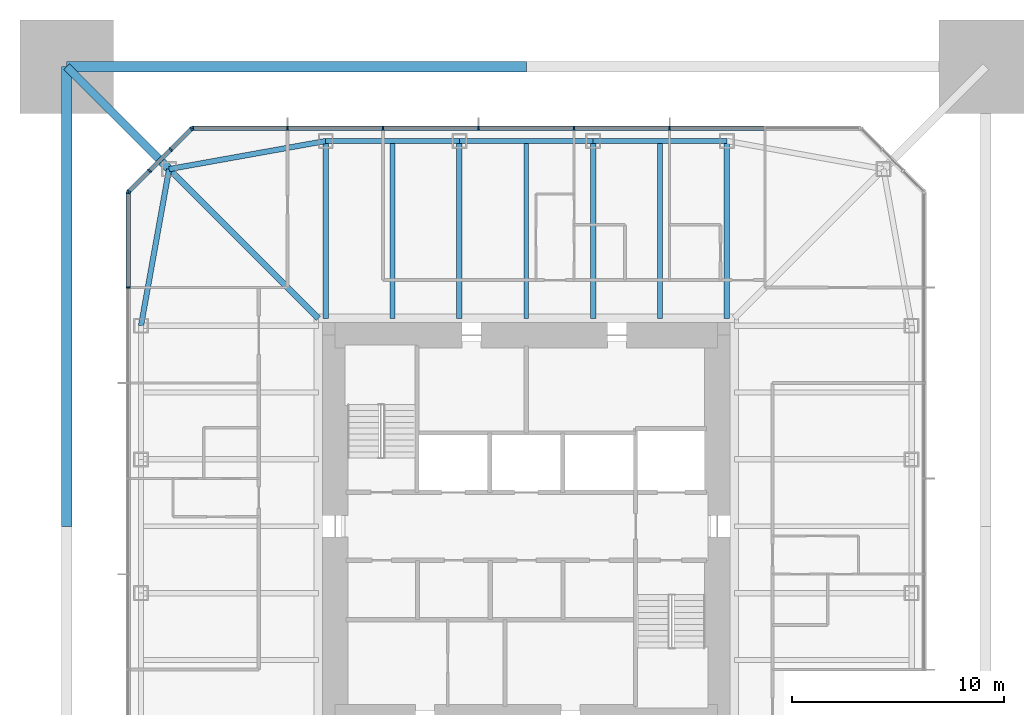
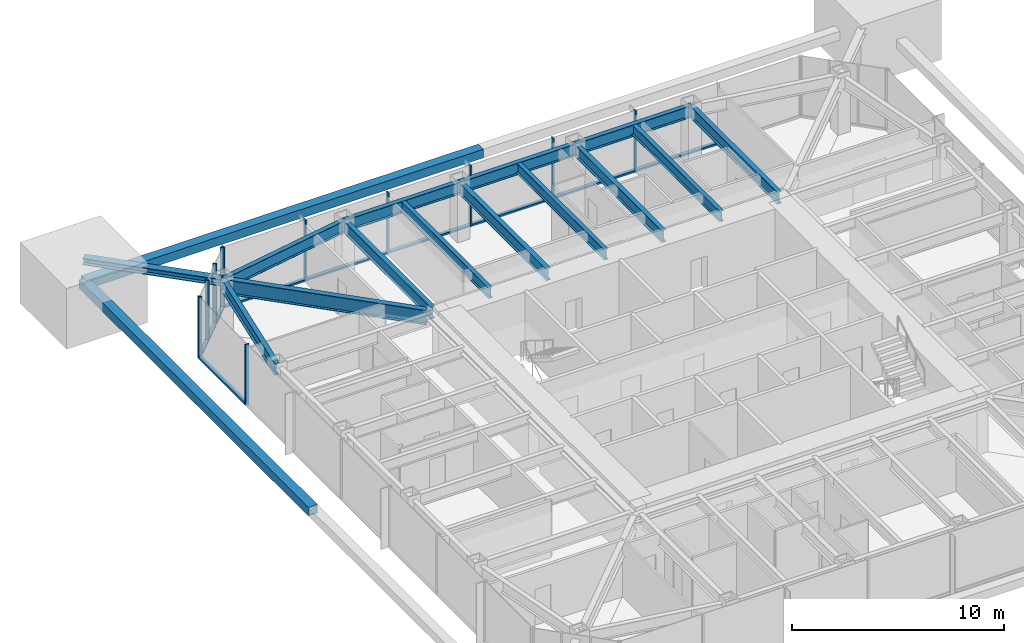
# One storey, part 5 of 13: 25 members, 13 beams, 3 elements without a shape of their own.
"""IFC4 building model written with IfcOpenShell, lengths in metres."""

from ifc_helpers import new_model, si_unit, direction, frame, origin, origin_2d, place, context, subcontext, project, spatial, rectangle, hollow_rectangle, i_section, extrude, material, material_profile, profile_set, type_object, element, aggregate, save


model = new_model("IFC4")

# Units and contexts
model_context = context("Model", 3, precision=1e-05, world=origin(), true_north=direction((0.0, 1.0)))
body_context = subcontext(model_context, "Body", "Model", "MODEL_VIEW")
ifc_project = project(units=[si_unit("LENGTHUNIT", "METRE"), si_unit("AREAUNIT", "SQUARE_METRE"), si_unit("VOLUMEUNIT", "CUBIC_METRE"), si_unit("PLANEANGLEUNIT", "RADIAN"), si_unit("MASSUNIT", "GRAM", prefix="KILO")], contexts=[model_context])

# Site, building, storey
site_placement = place(None, origin())
site = spatial("IfcSite", under=ifc_project, at=site_placement, CompositionType="ELEMENT")
building_placement = place(site_placement, origin())
building = spatial("IfcBuilding", under=site, at=building_placement, Name="Iwan Alto Co-Living Towers", CompositionType="ELEMENT")
storey_placement = place(building_placement, frame((0.0, 0.0, 191.5)))
storey = spatial("IfcBuildingStorey", under=building, at=storey_placement, Name="L52", CompositionType="ELEMENT", Elevation=191.5)

# Curtain wall, members
ifc_material_1 = material(Name="Bronze aluminium unitised frame", Category="aluminium")
curtain_wall_type_1 = type_object("IfcCurtainWallType", Name="CURTAIN WALL CW-A", PredefinedType="NOTDEFINED", material=ifc_material_1)
curtain_wall_1_placement = place(storey_placement, origin())
curtain_wall_1 = element("IfcCurtainWall", 1, at=curtain_wall_1_placement, inside=storey, type_object=curtain_wall_type_1, Name="T1 curtain wall N L52", PredefinedType="NOTDEFINED")
ifc_material_2 = material(Name="Aluminium 6063-T6 bronze anodised", Category="aluminium")
ifc_material_profile_1 = material_profile(ifc_material_2, rectangle(XDim=0.199951171875, YDim=0.080078125, at=origin_2d()), Name="AL 80X200")
ifc_profile_set_1 = profile_set([ifc_material_profile_1], Name="Aluminium 6063-T6 bronze anodised")
member_type_1 = type_object("IfcMemberType", Name="CW-A MULLION 80X200", PredefinedType="MULLION", material=ifc_profile_set_1)
member_1_placement = place(storey_placement, frame((6.75, 18.75, 0.0), z_axis=(0.0, 0.0, 1.0), x_axis=(0.0, -1.0, 0.0)))
member_1 = element("IfcMember", 2, at=member_1_placement, type_object=member_type_1, Name="CW-A mullion 3", PredefinedType="MULLION", context=body_context, shape_type="SweptSolid", body=[
    extrude(rectangle(XDim=0.199951171875, YDim=0.080078125, at=origin_2d()), origin(), (0.0, 0.0, 1.0), 3.5),
])
member_2_placement = place(storey_placement, frame((2.25, 18.75, 0.0), z_axis=(0.0, 0.0, 1.0), x_axis=(0.0, -1.0, 0.0)))
member_2 = element("IfcMember", 3, at=member_2_placement, type_object=member_type_1, Name="CW-A mullion 4", PredefinedType="MULLION", context=body_context, shape_type="SweptSolid", body=[
    extrude(rectangle(XDim=0.199951171875, YDim=0.080078125, at=origin_2d()), origin(), (0.0, 0.0, 1.0), 3.5),
])
member_3_placement = place(storey_placement, frame((-2.25, 18.75, 0.0), z_axis=(0.0, 0.0, 1.0), x_axis=(0.0, -1.0, 0.0)))
member_3 = element("IfcMember", 4, at=member_3_placement, type_object=member_type_1, Name="CW-A mullion 5", PredefinedType="MULLION", context=body_context, shape_type="SweptSolid", body=[
    extrude(rectangle(XDim=0.199951171875, YDim=0.080078125, at=origin_2d()), origin(), (0.0, 0.0, 1.0), 3.5),
])
member_4_placement = place(storey_placement, frame((-6.75, 18.75, 0.0), z_axis=(0.0, 0.0, 1.0), x_axis=(0.0, -1.0, 0.0)))
member_4 = element("IfcMember", 5, at=member_4_placement, type_object=member_type_1, Name="CW-A mullion 6", PredefinedType="MULLION", context=body_context, shape_type="SweptSolid", body=[
    extrude(rectangle(XDim=0.199951171875, YDim=0.080078125, at=origin_2d()), origin(), (0.0, 0.0, 1.0), 3.5),
])
member_5_placement = place(storey_placement, frame((-11.25, 18.75, 0.0), z_axis=(0.0, 0.0, 1.0), x_axis=(0.0, -1.0, 0.0)))
member_5 = element("IfcMember", 6, at=member_5_placement, type_object=member_type_1, Name="CW-A mullion 7", PredefinedType="MULLION", context=body_context, shape_type="SweptSolid", body=[
    extrude(rectangle(XDim=0.199951171875, YDim=0.080078125, at=origin_2d()), origin(), (0.0, 0.0, 1.0), 3.5),
])
member_6_placement = place(storey_placement, frame((-15.7099609375, 18.75, 0.0), z_axis=(0.0, 0.0, 1.0), x_axis=(0.0, -1.0, 0.0)))
member_6 = element("IfcMember", 7, at=member_6_placement, type_object=member_type_1, Name="CW-A mullion 8", PredefinedType="MULLION", context=body_context, shape_type="SweptSolid", body=[
    extrude(rectangle(XDim=0.199951171875, YDim=0.080078125, at=origin_2d()), origin(), (0.0, 0.0, 1.0), 3.5),
])

curtain_wall_2_placement = place(storey_placement, origin())
curtain_wall_2 = element("IfcCurtainWall", 8, at=curtain_wall_2_placement, inside=storey, type_object=curtain_wall_type_1, Name="T1 curtain wall W L52", PredefinedType="NOTDEFINED")
member_7_placement = place(storey_placement, frame((-18.75, 15.7099609375, 0.0), z_axis=(0.0, 0.0, 1.0), x_axis=(1.0, 0.0, 0.0)))
member_7 = element("IfcMember", 9, at=member_7_placement, type_object=member_type_1, Name="CW-A mullion 1", PredefinedType="MULLION", context=body_context, shape_type="SweptSolid", body=[
    extrude(rectangle(XDim=0.199951171875, YDim=0.080078125, at=origin_2d()), origin(), (0.0, 0.0, 1.0), 3.5),
])
member_8_placement = place(storey_placement, frame((-18.75, 11.25, 0.0), z_axis=(0.0, 0.0, 1.0), x_axis=(1.0, 0.0, 0.0)))
member_8 = element("IfcMember", 10, at=member_8_placement, type_object=member_type_1, Name="CW-A mullion 2", PredefinedType="MULLION", context=body_context, shape_type="SweptSolid", body=[
    extrude(rectangle(XDim=0.199951171875, YDim=0.080078125, at=origin_2d()), origin(), (0.0, 0.0, 1.0), 3.5),
])

# Member
ifc_material_3 = material(Name="Aluminium 6063-T6 bronze anodised", Category="aluminium")
ifc_material_profile_2 = material_profile(ifc_material_3, rectangle(XDim=0.199951171875, YDim=0.10009765625, at=origin_2d()), Name="AL 200X100")
ifc_profile_set_2 = profile_set([ifc_material_profile_2], Name="Aluminium 6063-T6 bronze anodised")
member_type_2 = type_object("IfcMemberType", Name="CW-A TRANSOM 200X100", PredefinedType="USERDEFINED", material=ifc_profile_set_2)
member_9_placement = place(storey_placement, frame((11.2099609375, 18.75, 0.050048828125), z_axis=(-1.0, 0.0, 0.0), x_axis=(0.0, -1.0, 0.0)))
member_9 = element("IfcMember", 11, at=member_9_placement, type_object=member_type_2, Name="CW-A transom 2.1", ObjectType="TRANSOM", PredefinedType="USERDEFINED", context=body_context, shape_type="SweptSolid", body=[
    extrude(rectangle(XDim=0.199951171875, YDim=0.10009765625, at=origin_2d()), origin(), (0.0, 0.0, 1.0), 4.419921875),
])

member_10_placement = place(storey_placement, frame((6.7099609375, 18.75, 0.050048828125), z_axis=(-1.0, 0.0, 0.0), x_axis=(0.0, -1.0, 0.0)))
member_10 = element("IfcMember", 12, at=member_10_placement, type_object=member_type_2, Name="CW-A transom 3.1", ObjectType="TRANSOM", PredefinedType="USERDEFINED", context=body_context, shape_type="SweptSolid", body=[
    extrude(rectangle(XDim=0.199951171875, YDim=0.10009765625, at=origin_2d()), origin(), (0.0, 0.0, 1.0), 4.419921875),
])

member_11_placement = place(storey_placement, frame((2.2099609375, 18.75, 0.050048828125), z_axis=(-1.0, 0.0, 0.0), x_axis=(0.0, -1.0, 0.0)))
member_11 = element("IfcMember", 13, at=member_11_placement, type_object=member_type_2, Name="CW-A transom 4.1", ObjectType="TRANSOM", PredefinedType="USERDEFINED", context=body_context, shape_type="SweptSolid", body=[
    extrude(rectangle(XDim=0.199951171875, YDim=0.10009765625, at=origin_2d()), origin(), (0.0, 0.0, 1.0), 4.419921875),
])

member_12_placement = place(storey_placement, frame((-2.2900390625, 18.75, 0.050048828125), z_axis=(-1.0, 0.0, 0.0), x_axis=(0.0, -1.0, 0.0)))
member_12 = element("IfcMember", 14, at=member_12_placement, type_object=member_type_2, Name="CW-A transom 5.1", ObjectType="TRANSOM", PredefinedType="USERDEFINED", context=body_context, shape_type="SweptSolid", body=[
    extrude(rectangle(XDim=0.199951171875, YDim=0.10009765625, at=origin_2d()), origin(), (0.0, 0.0, 1.0), 4.419921875),
])

member_13_placement = place(storey_placement, frame((-6.7900390625, 18.75, 0.050048828125), z_axis=(-1.0, 0.0, 0.0), x_axis=(0.0, -1.0, 0.0)))
member_13 = element("IfcMember", 15, at=member_13_placement, type_object=member_type_2, Name="CW-A transom 6.1", ObjectType="TRANSOM", PredefinedType="USERDEFINED", context=body_context, shape_type="SweptSolid", body=[
    extrude(rectangle(XDim=0.199951171875, YDim=0.10009765625, at=origin_2d()), origin(), (0.0, 0.0, 1.0), 4.419921875),
])

member_14_placement = place(storey_placement, frame((-11.2900390625, 18.75, 0.050048828125), z_axis=(-1.0, 0.0, 0.0), x_axis=(0.0, -1.0, 0.0)))
member_14 = element("IfcMember", 16, at=member_14_placement, type_object=member_type_2, Name="CW-A transom 7.1", ObjectType="TRANSOM", PredefinedType="USERDEFINED", context=body_context, shape_type="SweptSolid", body=[
    extrude(rectangle(XDim=0.199951171875, YDim=0.10009765625, at=origin_2d()), origin(), (0.0, 0.0, 1.0), 4.3798828125),
])

aggregate(curtain_wall_1, [member_1, member_2, member_3, member_4, member_5, member_6, member_9, member_10, member_11, member_12, member_13, member_14])

member_15_placement = place(storey_placement, frame((-18.75, 15.669921875, 0.050048828125), z_axis=(0.0, -1.0, 0.0), x_axis=(1.0, 0.0, 0.0)))
member_15 = element("IfcMember", 17, at=member_15_placement, type_object=member_type_2, Name="CW-A transom 1.1", ObjectType="TRANSOM", PredefinedType="USERDEFINED", context=body_context, shape_type="SweptSolid", body=[
    extrude(rectangle(XDim=0.199951171875, YDim=0.10009765625, at=origin_2d()), origin(), (0.0, 0.0, 1.0), 4.3798828125),
])

aggregate(curtain_wall_2, [member_7, member_8, member_15])

# Curtain wall, members
ifc_material_4 = material(Name="Bronze aluminium unitised frame", Category="aluminium")
curtain_wall_type_2 = type_object("IfcCurtainWallType", Name="CURTAIN WALL CW-B", PredefinedType="NOTDEFINED", material=ifc_material_4)
curtain_wall_3_placement = place(storey_placement, origin())
curtain_wall_3 = element("IfcCurtainWall", 18, at=curtain_wall_3_placement, inside=storey, type_object=curtain_wall_type_2, Name="T1 chamfer curtain wall NW L52", PredefinedType="NOTDEFINED")
ifc_material_5 = material(Name="Aluminium 6063-T6 bronze anodised", Category="aluminium")
ifc_material_profile_3 = material_profile(ifc_material_5, rectangle(XDim=0.199951171875, YDim=0.080078125, at=origin_2d()), Name="AL 80X200")
ifc_profile_set_3 = profile_set([ifc_material_profile_3], Name="Aluminium 6063-T6 bronze anodised")
member_type_3 = type_object("IfcMemberType", Name="CW-B MULLION 80X200", PredefinedType="MULLION", material=ifc_profile_set_3)
member_16_placement = place(storey_placement, frame((-15.7783203125, 18.7216796875, 0.0), z_axis=(0.0, 0.0, 1.0), x_axis=(0.707106781187, -0.707106781187, 0.0)))
member_16 = element("IfcMember", 19, at=member_16_placement, type_object=member_type_3, Name="CW-B mullion 1", PredefinedType="MULLION", context=body_context, shape_type="SweptSolid", body=[
    extrude(rectangle(XDim=0.199951171875, YDim=0.080078125, at=origin_2d()), origin(), (0.0, 0.0, 1.0), 3.5),
])
member_17_placement = place(storey_placement, frame((-16.75, 17.75, 0.0), z_axis=(0.0, 0.0, 1.0), x_axis=(0.707106781187, -0.707106781187, 0.0)))
member_17 = element("IfcMember", 20, at=member_17_placement, type_object=member_type_3, Name="CW-B mullion 2", PredefinedType="MULLION", context=body_context, shape_type="SweptSolid", body=[
    extrude(rectangle(XDim=0.199951171875, YDim=0.080078125, at=origin_2d()), origin(), (0.0, 0.0, 1.0), 3.5),
])
member_18_placement = place(storey_placement, frame((-17.75, 16.75, 0.0), z_axis=(0.0, 0.0, 1.0), x_axis=(0.707106781187, -0.707106781187, 0.0)))
member_18 = element("IfcMember", 21, at=member_18_placement, type_object=member_type_3, Name="CW-B mullion 3", PredefinedType="MULLION", context=body_context, shape_type="SweptSolid", body=[
    extrude(rectangle(XDim=0.199951171875, YDim=0.080078125, at=origin_2d()), origin(), (0.0, 0.0, 1.0), 3.5),
])
member_19_placement = place(storey_placement, frame((-18.7216796875, 15.7783203125, 0.0), z_axis=(0.0, 0.0, 1.0), x_axis=(0.707106781187, -0.707106781187, 0.0)))
member_19 = element("IfcMember", 22, at=member_19_placement, type_object=member_type_3, Name="CW-B mullion 4", PredefinedType="MULLION", context=body_context, shape_type="SweptSolid", body=[
    extrude(rectangle(XDim=0.199951171875, YDim=0.080078125, at=origin_2d()), origin(), (0.0, 0.0, 1.0), 3.5),
])
ifc_material_6 = material(Name="Aluminium 6063-T6 bronze anodised", Category="aluminium")
ifc_material_profile_4 = material_profile(ifc_material_6, rectangle(XDim=0.199951171875, YDim=0.10009765625, at=origin_2d()), Name="AL 200X100")
ifc_profile_set_4 = profile_set([ifc_material_profile_4], Name="Aluminium 6063-T6 bronze anodised")
member_type_4 = type_object("IfcMemberType", Name="CW-B TRANSOM 200X100", PredefinedType="USERDEFINED", material=ifc_profile_set_4)
member_20_placement = place(storey_placement, frame((-15.806640625, 18.693359375, 0.050048828125), z_axis=(-0.707106781187, -0.707106781187, 0.0), x_axis=(0.707106781187, -0.707106781187, 0.0)))
member_20 = element("IfcMember", 23, at=member_20_placement, type_object=member_type_4, Name="CW-B transom 1.1", ObjectType="TRANSOM", PredefinedType="USERDEFINED", context=body_context, shape_type="SweptSolid", body=[
    extrude(rectangle(XDim=0.199951171875, YDim=0.10009765625, at=origin_2d()), origin(), (0.0, 0.0, 1.0), 1.2939453125),
])
member_21_placement = place(storey_placement, frame((-16.7783203125, 17.7216796875, 0.050048828125), z_axis=(-0.707106781187, -0.707106781187, 0.0), x_axis=(0.707106781187, -0.707106781187, 0.0)))
member_21 = element("IfcMember", 24, at=member_21_placement, type_object=member_type_4, Name="CW-B transom 2.1", ObjectType="TRANSOM", PredefinedType="USERDEFINED", context=body_context, shape_type="SweptSolid", body=[
    extrude(rectangle(XDim=0.199951171875, YDim=0.10009765625, at=origin_2d()), origin(), (0.0, 0.0, 1.0), 1.334228515625),
])
member_22_placement = place(storey_placement, frame((-17.7783203125, 16.7216796875, 0.050048828125), z_axis=(-0.707106781187, -0.707106781187, 0.0), x_axis=(0.707106781187, -0.707106781187, 0.0)))
member_22 = element("IfcMember", 25, at=member_22_placement, type_object=member_type_4, Name="CW-B transom 3.1", ObjectType="TRANSOM", PredefinedType="USERDEFINED", context=body_context, shape_type="SweptSolid", body=[
    extrude(rectangle(XDim=0.199951171875, YDim=0.10009765625, at=origin_2d()), origin(), (0.0, 0.0, 1.0), 1.2939453125),
])
aggregate(curtain_wall_3, [member_16, member_17, member_18, member_19, member_20, member_21, member_22])

# Beams
ifc_material_7 = material(Name="Steel ASTM A992 Gr 50", Category="steel")
ifc_material_profile_5 = material_profile(ifc_material_7, i_section(OverallWidth=0.2919921875, OverallDepth=0.8408203125, WebThickness=0.0146484375, FlangeThickness=0.021728515625, at=origin_2d()), Name="W33X130")
ifc_profile_set_5 = profile_set([ifc_material_profile_5], Name="Steel ASTM A992 Gr 50")
beam_type_1 = type_object("IfcBeamType", Name="T1 CORNER GIRDER W33X130", PredefinedType="BEAM", material=ifc_profile_set_5)
beam_1_placement = place(storey_placement, frame((-16.82568359375, 16.82568359375, 2.849609375), z_axis=(0.707106781187, -0.707106781187, 0.0), x_axis=(0.707106781187, 0.707106781187, 0.0)))
element("IfcBeam", 26, at=beam_1_placement, inside=storey, type_object=beam_type_1, Name="T1 corner girder CNW L53", PredefinedType="BEAM", context=body_context, shape_type="SweptSolid", body=[
    extrude(i_section(OverallWidth=0.2919921875, OverallDepth=0.8408203125, WebThickness=0.0146484375, FlangeThickness=0.021728515625, at=origin_2d()), origin(), (0.0, 0.0, 1.0), 9.936767578125),
])
ifc_material_8 = material(Name="Steel ASTM A992 Gr 50", Category="steel")
ifc_material_profile_6 = material_profile(ifc_material_8, i_section(OverallWidth=0.25390625, OverallDepth=0.683349609375, WebThickness=0.012451171875, FlangeThickness=0.018798828125, at=origin_2d()), Name="W27X94")
ifc_profile_set_6 = profile_set([ifc_material_profile_6], Name="Steel ASTM A992 Gr 50")
beam_type_2 = type_object("IfcBeamType", Name="T1 EDGE BEAM W27X94", PredefinedType="BEAM", material=ifc_profile_set_6)
beam_2_placement = place(storey_placement, frame((9.449951171875, 18.14990234375, 2.928466796875), z_axis=(-1.0, 0.0, 0.0), x_axis=(0.0, -1.0, 0.0)))
element("IfcBeam", 27, at=beam_2_placement, inside=storey, type_object=beam_type_2, Name="T1 edge beam N1 L53", PredefinedType="BEAM", context=body_context, shape_type="SweptSolid", body=[
    extrude(i_section(OverallWidth=0.25390625, OverallDepth=0.683349609375, WebThickness=0.012451171875, FlangeThickness=0.018798828125, at=origin_2d()), origin(), (0.0, 0.0, 1.0), 6.300048828125),
])
beam_3_placement = place(storey_placement, frame((3.14990234375, 18.14990234375, 2.928466796875), z_axis=(-1.0, 0.0, 0.0), x_axis=(0.0, -1.0, 0.0)))
element("IfcBeam", 28, at=beam_3_placement, inside=storey, type_object=beam_type_2, Name="T1 edge beam N2 L53", PredefinedType="BEAM", context=body_context, shape_type="SweptSolid", body=[
    extrude(i_section(OverallWidth=0.25390625, OverallDepth=0.683349609375, WebThickness=0.012451171875, FlangeThickness=0.018798828125, at=origin_2d()), origin(), (0.0, 0.0, 1.0), 6.2998046875),
])
beam_4_placement = place(storey_placement, frame((-3.14990234375, 18.14990234375, 2.928466796875), z_axis=(-1.0, 0.0, 0.0), x_axis=(0.0, -1.0, 0.0)))
element("IfcBeam", 29, at=beam_4_placement, inside=storey, type_object=beam_type_2, Name="T1 edge beam N3 L53", PredefinedType="BEAM", context=body_context, shape_type="SweptSolid", body=[
    extrude(i_section(OverallWidth=0.25390625, OverallDepth=0.683349609375, WebThickness=0.012451171875, FlangeThickness=0.018798828125, at=origin_2d()), origin(), (0.0, 0.0, 1.0), 6.300048828125),
])
for number, where, z_axis, x_axis, name in (
    (30, (-9.449951171875, 18.14990234375, 2.928466796875), (-0.98426263553, -0.17671181143, 0.0), (0.17671181143, -0.98426263553, 0.0), "T1 edge beam N4 L53"),
    (31, (-16.82568359375, 16.82568359375, 2.928466796875), (-0.17671181143, -0.98426263553, 0.0), (0.98426263553, -0.17671181143, 0.0), "T1 edge beam CNW L53"),
):
    element("IfcBeam", number, at=place(storey_placement, frame(where, z_axis=z_axis, x_axis=x_axis)), inside=storey, type_object=beam_type_2, Name=name, PredefinedType="BEAM", context=body_context, shape_type="SweptSolid", body=[
        extrude(i_section(OverallWidth=0.25390625, OverallDepth=0.683349609375, WebThickness=0.012451171875, FlangeThickness=0.018798828125, at=origin_2d()), origin(), (0.0, 0.0, 1.0), 7.49365234375),
    ])

# Members
ifc_material_9 = material(Name="Steel ASTM A992 Gr 50", Category="steel")
ifc_material_profile_7 = material_profile(ifc_material_9, i_section(OverallWidth=0.393798828125, OverallDepth=0.3759765625, WebThickness=0.017333984375, FlangeThickness=0.027587890625, at=origin_2d()), Name="W14X145")
ifc_profile_set_7 = profile_set([ifc_material_profile_7], Name="Steel ASTM A992 Gr 50")
member_type_5 = type_object("IfcMemberType", Name="T1 MEGA COLUMN FLOOR TIE W14X145", PredefinedType="STRUT", material=ifc_profile_set_7)
member_23_placement = place(storey_placement, frame((-21.64990234375, 21.64990234375, 3.08203125), z_axis=(0.707106781187, -0.707106781187, 0.0), x_axis=(0.707106781187, 0.707106781187, 0.0)))
element("IfcMember", 32, at=member_23_placement, inside=storey, type_object=member_type_5, Name="T1 mega column floor tie NW L53", PredefinedType="STRUT", context=body_context, shape_type="SweptSolid", body=[
    extrude(i_section(OverallWidth=0.393798828125, OverallDepth=0.3759765625, WebThickness=0.017333984375, FlangeThickness=0.027587890625, at=origin_2d()), origin(), (0.0, 0.0, 1.0), 6.822509765625),
])
ifc_material_10 = material(Name="Steel ASTM A572 Gr 50", Category="steel")
ifc_material_profile_8 = material_profile(ifc_material_10, hollow_rectangle(XDim=0.5, YDim=0.5, WallThickness=0.031982421875, at=origin_2d()), Name="BOX 500X500X32")
ifc_profile_set_8 = profile_set([ifc_material_profile_8], Name="Steel ASTM A572 Gr 50")
member_type_6 = type_object("IfcMemberType", Name="T1 MEGA TIE BOX 500X500X32", PredefinedType="STRUT", material=ifc_profile_set_8)
for number, where, z_axis, x_axis, name in (
    (33, (0.0, 21.64990234375, 1.75), (-1.0, 0.0, 0.0), (0.0, -1.0, 0.0), "T1 mega tie Z3B N 2"),
    (34, (-21.64990234375, 21.64990234375, 1.75), (0.0, -1.0, 0.0), (1.0, 0.0, 0.0), "T1 mega tie Z3B W 1"),
):
    element("IfcMember", number, at=place(storey_placement, frame(where, z_axis=z_axis, x_axis=x_axis)), inside=storey, type_object=member_type_6, Name=name, PredefinedType="STRUT", context=body_context, shape_type="SweptSolid", body=[
        extrude(hollow_rectangle(XDim=0.5, YDim=0.5, WallThickness=0.031982421875, at=origin_2d()), origin(), (0.0, 0.0, 1.0), 21.64990234375),
    ])

# Beams
ifc_material_11 = material(Name="Steel ASTM A992 Gr 50", Category="steel")
ifc_material_profile_9 = material_profile(ifc_material_11, i_section(OverallWidth=0.25390625, OverallDepth=0.683349609375, WebThickness=0.012451171875, FlangeThickness=0.018798828125, at=origin_2d()), Name="W27X94")
ifc_profile_set_9 = profile_set([ifc_material_profile_9], Name="Steel ASTM A992 Gr 50")
beam_type_3 = type_object("IfcBeamType", Name="T1 RADIAL BEAM W27X94", PredefinedType="BEAM", material=ifc_profile_set_9)
for number, where, z_axis, x_axis, name in (
    (35, (9.449951171875, 18.14990234375, 2.928466796875), (0.0, -1.0, 0.0), (1.0, 0.0, 0.0), "T1 radial beam N1 L53"),
    (36, (3.14990234375, 18.14990234375, 2.928466796875), (0.0, -1.0, 0.0), (1.0, 0.0, 0.0), "T1 radial beam N2 L53"),
    (37, (-3.14990234375, 18.14990234375, 2.928466796875), (0.0, -1.0, 0.0), (1.0, 0.0, 0.0), "T1 radial beam N3 L53"),
    (38, (-9.449951171875, 18.14990234375, 2.928466796875), (0.0, -1.0, 0.0), (1.0, 0.0, 0.0), "T1 radial beam N4 L53"),
):
    element("IfcBeam", number, at=place(storey_placement, frame(where, z_axis=z_axis, x_axis=x_axis)), inside=storey, type_object=beam_type_3, Name=name, PredefinedType="BEAM", context=body_context, shape_type="SweptSolid", body=[
        extrude(i_section(OverallWidth=0.25390625, OverallDepth=0.683349609375, WebThickness=0.012451171875, FlangeThickness=0.018798828125, at=origin_2d()), origin(), (0.0, 0.0, 1.0), 8.3505859375),
    ])
ifc_material_12 = material(Name="Steel ASTM A992 Gr 50", Category="steel")
ifc_material_profile_10 = material_profile(ifc_material_12, i_section(OverallWidth=0.228271484375, OverallDepth=0.607177734375, WebThickness=0.01123046875, FlangeThickness=0.017333984375, at=origin_2d()), Name="W24X76")
ifc_profile_set_10 = profile_set([ifc_material_profile_10], Name="Steel ASTM A992 Gr 50")
beam_type_4 = type_object("IfcBeamType", Name="T1 SECONDARY BEAM W24X76", PredefinedType="JOIST", material=ifc_profile_set_10)
for number, where, z_axis, x_axis, name in (
    (39, (6.300048828125, 18.14990234375, 2.966552734375), (0.0, -1.0, 0.0), (1.0, 0.0, 0.0), "T1 secondary beam N1 L53"),
    (40, (0.0, 18.14990234375, 2.966552734375), (0.0, -1.0, 0.0), (1.0, 0.0, 0.0), "T1 secondary beam N2 L53"),
    (41, (-6.300048828125, 18.14990234375, 2.966552734375), (0.0, -1.0, 0.0), (1.0, 0.0, 0.0), "T1 secondary beam N3 L53"),
):
    element("IfcBeam", number, at=place(storey_placement, frame(where, z_axis=z_axis, x_axis=x_axis)), inside=storey, type_object=beam_type_4, Name=name, PredefinedType="JOIST", context=body_context, shape_type="SweptSolid", body=[
        extrude(i_section(OverallWidth=0.228271484375, OverallDepth=0.607177734375, WebThickness=0.01123046875, FlangeThickness=0.017333984375, at=origin_2d()), origin(), (0.0, 0.0, 1.0), 8.3505859375),
    ])

save(model, "model.ifc")
